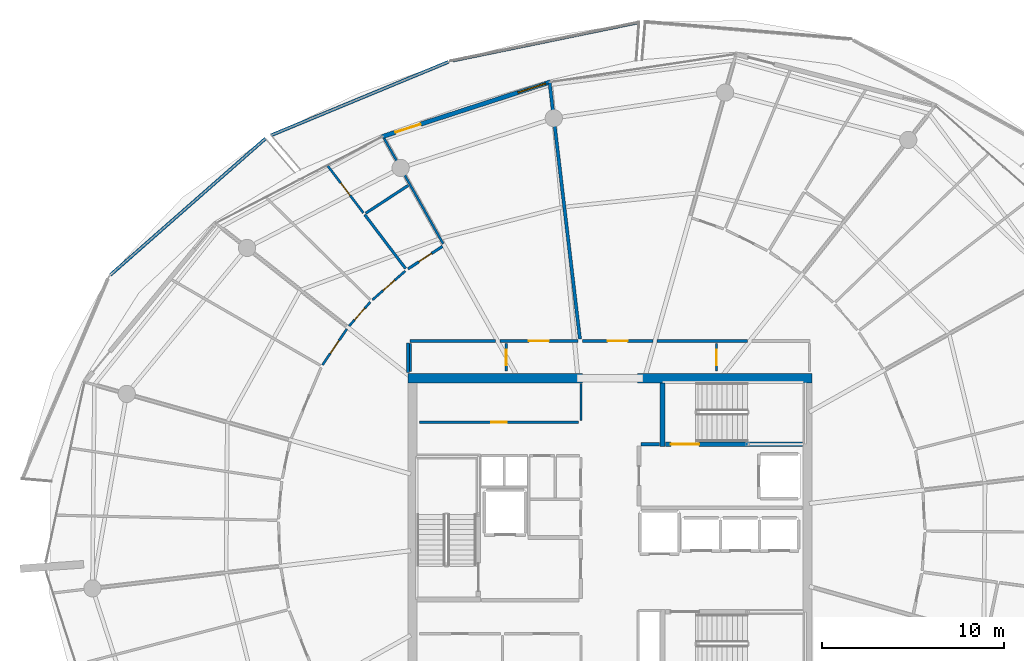
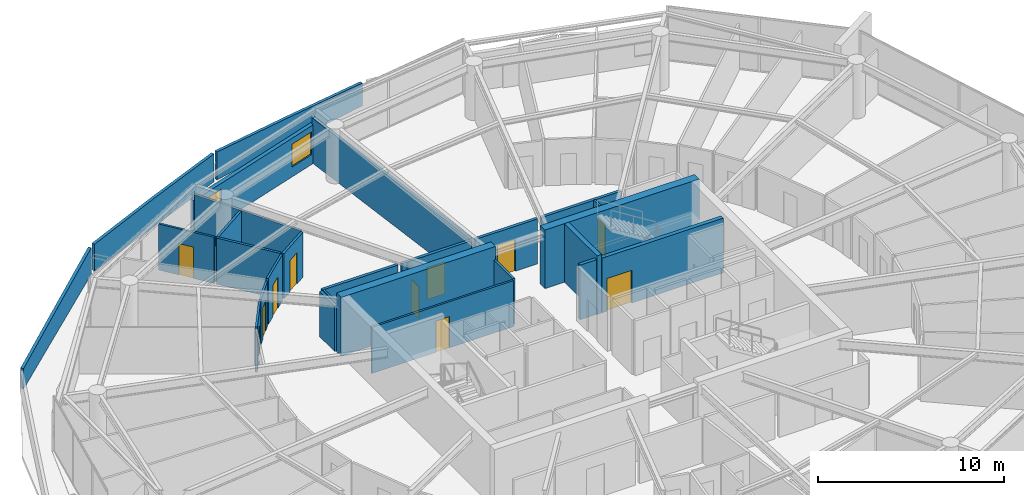
# One storey, part 22 of 31: 28 walls, 12 doors, 1 window, 13 openings.
"""IFC4 building model written with IfcOpenShell, lengths in metres."""

from ifc_helpers import new_model, si_unit, direction, frame, frame_2d, origin, place, context, subcontext, project, spatial, polyline, rectangle, outline, extrude, material, layer, layer_set, type_object, element, fill, save


model = new_model("IFC4")

# Units and contexts
model_context = context("Model", 3, precision=1e-05, world=origin(), true_north=direction((0.0, 1.0)))
body_context = subcontext(model_context, "Body", "Model", "MODEL_VIEW")
ifc_project = project(units=[si_unit("LENGTHUNIT", "METRE"), si_unit("AREAUNIT", "SQUARE_METRE"), si_unit("VOLUMEUNIT", "CUBIC_METRE"), si_unit("PLANEANGLEUNIT", "RADIAN"), si_unit("MASSUNIT", "GRAM", prefix="KILO")], contexts=[model_context])

# Site, building, storey
site_placement = place(None, origin())
site = spatial("IfcSite", under=ifc_project, at=site_placement, CompositionType="ELEMENT")
building_placement = place(site_placement, origin())
building = spatial("IfcBuilding", under=site, at=building_placement, Name="Kazma Halo Residences", CompositionType="ELEMENT")
storey_placement = place(building_placement, frame((0.0, 0.0, 275.199951171875)))
storey = spatial("IfcBuildingStorey", under=building, at=storey_placement, Name="L69", CompositionType="ELEMENT", Elevation=275.199951171875)

# Walls
ifc_material_1 = material(Name="White Concrete C50/60 Balustrade", Category="concrete")
ifc_layer_1 = layer(ifc_material_1, 0.179931640625)
ifc_layer_set_1 = layer_set([ifc_layer_1], Name="White Concrete C50/60 Balustrade")
wall_type_1 = type_object("IfcWallType", Name="WL-BAL-WAVE-180", PredefinedType="PARAPET", material=ifc_layer_set_1)
wall_1_placement = place(storey_placement, frame((50.02099609375, 69.85546875, 0.0), z_axis=(0.0, 0.0, 1.0), x_axis=(-0.979472745479, -0.201576637692, 0.0)))
element("IfcWall", 1, at=wall_1_placement, inside=storey, type_object=wall_type_1, Name="L69 white wave balustrade wall NNW.1", PredefinedType="PARAPET", context=body_context, shape_type="SweptSolid", body=[
    extrude(outline(polyline([(0.0, 0.0), (10.475341796875, 0.0), (10.4755859375, 1.83203125), (5.23779296875, 1.696044921875), (0.0, 1.4970703125), (0.0, 0.0)])), frame((0.0, 0.08984375, 0.0), z_axis=(0.0, -1.0, 0.0), x_axis=(1.0, 0.0, 0.0)), (0.0, 0.0, 1.0), 0.179931640625),
])
wall_2_placement = place(storey_placement, frame((39.5322265625, 67.673583984375, 0.0), z_axis=(0.0, 0.0, 1.0), x_axis=(-0.92394906856, -0.382515514336, 0.0)))
element("IfcWall", 2, at=wall_2_placement, inside=storey, type_object=wall_type_1, Name="L69 white wave balustrade wall NNW.2", PredefinedType="PARAPET", context=body_context, shape_type="SweptSolid", body=[
    extrude(outline(polyline([(0.0, 0.0), (10.580322265625, 0.0), (10.580322265625, 1.756103515625), (5.290283203125, 1.85302734375), (0.0, 1.83203125), (0.0, 0.0)])), frame((0.0, 0.08984375, 0.0), z_axis=(0.0, -1.0, 0.0), x_axis=(1.0, 0.0, 0.0)), (0.0, 0.0, 1.0), 0.179931640625),
])
wall_3_placement = place(storey_placement, frame((29.45166015625, 63.45068359375, 0.0), z_axis=(0.0, 0.0, 1.0), x_axis=(-0.750904489888, -0.660410816891, 0.0)))
element("IfcWall", 3, at=wall_3_placement, inside=storey, type_object=wall_type_1, Name="L69 white wave balustrade wall NW.1", PredefinedType="PARAPET", context=body_context, shape_type="SweptSolid", body=[
    extrude(outline(polyline([(0.0, 0.0), (11.385009765625, 0.0), (11.385009765625, 1.34814453125), (5.6923828125, 1.56201171875), (0.0, 1.7470703125), (0.0, 0.0)])), frame((0.0, 0.08984375, 0.0), z_axis=(0.0, -1.0, 0.0), x_axis=(1.0, 0.0, 0.0)), (0.0, 0.0, 1.0), 0.179931640625),
])
ifc_material_2 = material(Name="Concrete C60/75", Category="concrete")
ifc_layer_2 = layer(ifc_material_2, 0.5)
ifc_layer_set_2 = layer_set([ifc_layer_2], Name="Concrete C60/75")
wall_type_2 = type_object("IfcWallType", Name="WL-CORE-500", PredefinedType="SHEAR", material=ifc_layer_set_2)
wall_4_placement = place(storey_placement, frame((37.300048828125, 50.25, 0.0), z_axis=(0.0, 0.0, 1.0), x_axis=(1.0, 0.0, 0.0)))
element("IfcWall", 4, at=wall_4_placement, inside=storey, type_object=wall_type_2, Name="L69 central core shear wall NW", PredefinedType="SHEAR", context=body_context, shape_type="SweptSolid", body=[
    extrude(rectangle(XDim=9.599853515625, YDim=0.5, at=frame_2d((4.7998046875, 0.0))), origin(), (0.0, 0.0, 1.0), 3.85009765625),
])
wall_5_placement = place(storey_placement, frame((49.949951171875, 50.25, 0.0), z_axis=(0.0, 0.0, 1.0), x_axis=(1.0, 0.0, 0.0)))
element("IfcWall", 5, at=wall_5_placement, inside=storey, type_object=wall_type_2, Name="L69 central core shear wall NE", PredefinedType="SHEAR", context=body_context, shape_type="SweptSolid", body=[
    extrude(rectangle(XDim=9.60009765625, YDim=0.5, at=frame_2d((4.800048828125, 0.0))), origin(), (0.0, 0.0, 1.0), 3.85009765625),
])
ifc_layer_3 = layer(ifc_material_2, 0.280029296875)
ifc_layer_set_3 = layer_set([ifc_layer_3], Name="Concrete C60/75")
wall_type_3 = type_object("IfcWallType", Name="WL-CORE-ST-280", PredefinedType="SHEAR", material=ifc_layer_set_3)
wall_6_placement = place(storey_placement, frame((51.31005859375, 46.5, 0.0), z_axis=(0.0, 0.0, 1.0), x_axis=(0.0, 1.0, 0.0)))
element("IfcWall", 6, at=wall_6_placement, inside=storey, type_object=wall_type_3, Name="L69 stairwell bearing wall ST02-W", PredefinedType="SHEAR", context=body_context, shape_type="SweptSolid", body=[
    extrude(rectangle(XDim=3.5, YDim=0.280029296875, at=frame_2d((1.75, 0.0))), origin(), (0.0, 0.0, 1.0), 3.85009765625),
])
ifc_material_3 = material(Name="Acoustic Twin-Stud Gypsum")
ifc_layer_4 = layer(ifc_material_3, 0.179931640625)
ifc_layer_set_4 = layer_set([ifc_layer_4], Name="Acoustic Twin-Stud Gypsum")
wall_type_4 = type_object("IfcWallType", Name="WL-DEM-180", PredefinedType="PARTITIONING", material=ifc_layer_set_4)
wall_7_placement = place(storey_placement, frame((46.76806640625, 52.4091796875, 0.0), z_axis=(0.0, 0.0, 1.0), x_axis=(-0.117545848714, 0.993067456646, 0.0)))
element("IfcWall", 7, at=wall_7_placement, inside=storey, type_object=wall_type_4, Name="L69 apartment demising radial wall 03", PredefinedType="PARTITIONING", context=body_context, shape_type="SweptSolid", body=[
    extrude(rectangle(XDim=14.212890625, YDim=0.179931640625, at=frame_2d((7.1064453125, 0.0))), origin(), (0.0, 0.0, 1.0), 2.95703125),
])

# Wall, opening, door
wall_8_placement = place(storey_placement, frame((46.660888671875, 52.300048828125, 0.0), z_axis=(0.0, 0.0, 1.0), x_axis=(-1.0, 0.0, 0.0)))
wall_8 = element("IfcWall", 8, at=wall_8_placement, inside=storey, type_object=wall_type_4, Name="L69 Apartment 1 entrance corridor wall", PredefinedType="PARTITIONING", context=body_context, shape_type="SweptSolid", body=[
    extrude(rectangle(XDim=4.30908203125, YDim=0.179931640625, at=frame_2d((2.154541015625, 0.0))), origin(), (0.0, 0.0, 1.0), 2.95703125),
])
opening_1_placement = place(wall_8_placement, frame((1.6044921875, 0.0, 0.0)))
opening_1 = element("IfcOpeningElement", 9, at=opening_1_placement, cuts=wall_8, Name="Opening DA-1100", PredefinedType="OPENING", context=body_context, shape_type="SweptSolid", body=[
    extrude(rectangle(XDim=1.10009765625, YDim=2.10009765625, at=frame_2d((0.550048828125, 1.050048828125))), frame((0.0, 0.099853515625, 0.0), z_axis=(0.0, -1.0, 0.0), x_axis=(1.0, 0.0, 0.0)), (0.0, 0.0, 1.0), 0.199951171875),
])
ifc_material_4 = material(Name="Acoustic Walnut Fire Leaf")
door_type_1 = type_object("IfcDoorType", Name="DR-FD60-1100", OperationType="NOTDEFINED", PredefinedType="DOOR", material=ifc_material_4)
door_1_placement = place(opening_1_placement, origin())
door_1 = element("IfcDoor", 10, at=door_1_placement, inside=storey, type_object=door_type_1, Name="L69 Apartment 1 entrance fire door", OperationType="SINGLE_SWING_LEFT", OverallHeight=2.10009765625, OverallWidth=1.10009765625, PredefinedType="DOOR", context=body_context, shape_type="SweptSolid", body=[
    extrude(rectangle(XDim=1.10009765625, YDim=2.10009765625, at=frame_2d((0.550048828125, 1.050048828125))), frame((0.0, 0.02490234375, 0.0), z_axis=(0.0, -1.0, 0.0), x_axis=(1.0, 0.0, 0.0)), (0.0, 0.0, 1.0), 0.050048828125),
])
fill(opening_1, door_1)

# Walls
wall_9_placement = place(storey_placement, frame((42.11181640625, 52.300048828125, 0.0), z_axis=(0.0, 0.0, 1.0), x_axis=(-1.0, 0.0, 0.0)))
element("IfcWall", 11, at=wall_9_placement, inside=storey, type_object=wall_type_4, Name="L69 Apartment 1 inner wall 4", PredefinedType="PARTITIONING", context=body_context, shape_type="SweptSolid", body=[
    extrude(rectangle(XDim=4.69189453125, YDim=0.179931640625, at=frame_2d((2.345947265625, 0.0))), origin(), (0.0, 0.0, 1.0), 2.95703125),
])
wall_10_placement = place(storey_placement, frame((37.300048828125, 52.179931640625, 0.0), z_axis=(0.0, 0.0, 1.0), x_axis=(0.0, -1.0, 0.0)))
element("IfcWall", 12, at=wall_10_placement, inside=storey, type_object=wall_type_4, Name="L69 Apartment 1 inner wall 4", PredefinedType="PARTITIONING", context=body_context, shape_type="SweptSolid", body=[
    extrude(rectangle(XDim=1.624755859375, YDim=0.179931640625, at=frame_2d((0.8125, 0.0))), origin(), (0.0, 0.0, 1.0), 2.95703125),
])

# Wall, opening, door
wall_11_placement = place(storey_placement, frame((50.784912109375, 52.300048828125, 0.0), z_axis=(0.0, 0.0, 1.0), x_axis=(-1.0, 0.0, 0.0)))
wall_11 = element("IfcWall", 13, at=wall_11_placement, inside=storey, type_object=wall_type_4, Name="L69 Apartment 4 entrance corridor wall", PredefinedType="PARTITIONING", context=body_context, shape_type="SweptSolid", body=[
    extrude(rectangle(XDim=3.884033203125, YDim=0.179931640625, at=frame_2d((1.94189453125, 0.0))), origin(), (0.0, 0.0, 1.0), 2.95703125),
])
opening_2_placement = place(wall_11_placement, frame((1.39208984375, 0.0, 0.0)))
opening_2 = element("IfcOpeningElement", 14, at=opening_2_placement, cuts=wall_11, Name="Opening DA-1100", PredefinedType="OPENING", context=body_context, shape_type="SweptSolid", body=[
    extrude(rectangle(XDim=1.10009765625, YDim=2.10009765625, at=frame_2d((0.550048828125, 1.050048828125))), frame((0.0, 0.099853515625, 0.0), z_axis=(0.0, -1.0, 0.0), x_axis=(1.0, 0.0, 0.0)), (0.0, 0.0, 1.0), 0.199951171875),
])
door_2_placement = place(opening_2_placement, origin())
door_2 = element("IfcDoor", 15, at=door_2_placement, inside=storey, type_object=door_type_1, Name="L69 Apartment 4 entrance fire door", OperationType="SINGLE_SWING_RIGHT", OverallHeight=2.10009765625, OverallWidth=1.10009765625, PredefinedType="DOOR", context=body_context, shape_type="SweptSolid", body=[
    extrude(rectangle(XDim=1.10009765625, YDim=2.10009765625, at=frame_2d((0.550048828125, 1.050048828125))), frame((0.0, 0.02490234375, 0.0), z_axis=(0.0, -1.0, 0.0), x_axis=(1.0, 0.0, 0.0)), (0.0, 0.0, 1.0), 0.050048828125),
])
fill(opening_2, door_2)

# Wall
wall_12_placement = place(storey_placement, frame((56.0, 52.300048828125, 0.0), z_axis=(0.0, 0.0, 1.0), x_axis=(-1.0, 0.0, 0.0)))
element("IfcWall", 16, at=wall_12_placement, inside=storey, type_object=wall_type_4, Name="L69 Apartment 4 inner wall 1", PredefinedType="PARTITIONING", context=body_context, shape_type="SweptSolid", body=[
    extrude(rectangle(XDim=4.97509765625, YDim=0.179931640625, at=frame_2d((2.487548828125, 0.0))), origin(), (0.0, 0.0, 1.0), 2.95703125),
])

# Wall, openings, door, window
ifc_material_5 = material(Name="Insulated Pale-Metal Composite Wall")
ifc_layer_5 = layer(ifc_material_5, 0.239990234375)
ifc_layer_set_5 = layer_set([ifc_layer_5], Name="Insulated Pale-Metal Composite Wall")
wall_type_5 = type_object("IfcWallType", Name="WL-EXT-HOST-240", PredefinedType="SOLIDWALL", material=ifc_layer_set_5)
wall_13_placement = place(storey_placement, frame((45.14208984375, 66.563720703125, 0.0), z_axis=(0.0, 0.0, 1.0), x_axis=(-0.951055974609, -0.309018661507, 0.0)))
wall_13 = element("IfcWall", 17, at=wall_13_placement, inside=storey, type_object=wall_type_5, Name="L69 exterior terrace-access wall B04", PredefinedType="SOLIDWALL", context=body_context, shape_type="SweptSolid", body=[
    extrude(rectangle(XDim=9.745361328125, YDim=0.239990234375, at=frame_2d((4.87255859375, 0.0))), origin(), (0.0, 0.0, 1.0), 2.5400390625),
])
opening_3_placement = place(wall_13_placement, frame((7.525390625, 0.0, 0.0)))
opening_3 = element("IfcOpeningElement", 18, at=opening_3_placement, cuts=wall_13, Name="Opening DTR-1600", PredefinedType="OPENING", context=body_context, shape_type="SweptSolid", body=[
    extrude(rectangle(XDim=1.449951171875, YDim=2.14990234375, at=frame_2d((0.72509765625, 1.074951171875))), frame((0.0, 0.1298828125, 0.0), z_axis=(0.0, -1.0, 0.0), x_axis=(1.0, 0.0, 0.0)), (0.0, 0.0, 1.0), 0.260009765625),
])
opening_4_placement = place(wall_13_placement, frame((0.280029296875, 0.0, 0.64990234375)))
opening_4 = element("IfcOpeningElement", 19, at=opening_4_placement, cuts=wall_13, Name="Opening W-1800", PredefinedType="OPENING", context=body_context, shape_type="SweptSolid", body=[
    extrude(rectangle(XDim=1.60009765625, YDim=1.5, at=frame_2d((0.800048828125, 0.75))), frame((0.0, 0.1298828125, 0.0), z_axis=(0.0, -1.0, 0.0), x_axis=(1.0, 0.0, 0.0)), (0.0, 0.0, 1.0), 0.260009765625),
])
ifc_material_6 = material(Name="Aluminium AW-6063 T6 Double-Glazed Terrace Door", Category="aluminium")
door_type_2 = type_object("IfcDoorType", Name="DR-EXT-TERR-1600", OperationType="NOTDEFINED", PredefinedType="DOOR", material=ifc_material_6)
door_3_placement = place(opening_3_placement, origin())
door_3 = element("IfcDoor", 20, at=door_3_placement, inside=storey, type_object=door_type_2, Name="L69 B04 balcony terrace door", OperationType="DOUBLE_DOOR_SLIDING", OverallHeight=2.14990234375, OverallWidth=1.449951171875, PredefinedType="DOOR", context=body_context, shape_type="SweptSolid", body=[
    extrude(rectangle(XDim=1.449951171875, YDim=2.14990234375, at=frame_2d((0.72509765625, 1.074951171875))), frame((0.0, 0.02490234375, 0.0), z_axis=(0.0, -1.0, 0.0), x_axis=(1.0, 0.0, 0.0)), (0.0, 0.0, 1.0), 0.050048828125),
])
fill(opening_3, door_3)
ifc_material_7 = material(Name="Clear Triple-Silver Low-E Glass in Aluminium AW-6063 T6 Frame", Category="aluminium")
window_type = type_object("IfcWindowType", Name="WIN-RES-1800", PartitioningType="DOUBLE_PANEL_VERTICAL", PredefinedType="WINDOW", material=ifc_material_7)
window_placement = place(opening_4_placement, origin())
window = element("IfcWindow", 21, at=window_placement, inside=storey, type_object=window_type, Name="L69 B04 apartment window", OverallHeight=1.5, OverallWidth=1.60009765625, PartitioningType="SINGLE_PANEL", PredefinedType="WINDOW", context=body_context, shape_type="SweptSolid", body=[
    extrude(rectangle(XDim=1.60009765625, YDim=1.5, at=frame_2d((0.800048828125, 0.75))), frame((0.0, 0.030029296875, 0.0), z_axis=(0.0, -1.0, 0.0), x_axis=(1.0, 0.0, 0.0)), (0.0, 0.0, 1.0), 0.06005859375),
])
fill(opening_4, window)

# Walls
ifc_material_8 = material(Name="Fire-Rated Blockwork Masonry", Category="masonry")
ifc_layer_6 = layer(ifc_material_8, 0.199951171875)
ifc_layer_set_6 = layer_set([ifc_layer_6], Name="Fire-Rated Blockwork Masonry")
wall_type_6 = type_object("IfcWallType", Name="WL-FLB-200", PredefinedType="PARTITIONING", material=ifc_layer_set_6)
wall_14_placement = place(storey_placement, frame((50.139892578125, 46.6201171875, 0.0), z_axis=(0.0, 0.0, 1.0), x_axis=(1.0, 0.0, 0.0)))
element("IfcWall", 22, at=wall_14_placement, inside=storey, type_object=wall_type_6, Name="L69 east firefighting lobby north closure wall", PredefinedType="PARTITIONING", context=body_context, shape_type="SweptSolid", body=[
    extrude(rectangle(XDim=1.02001953125, YDim=0.199951171875, at=frame_2d((0.510009765625, 0.0))), origin(), (0.0, 0.0, 1.0), 3.590087890625),
])
ifc_material_9 = material(Name="Gypsum Plasterboard Partition")
ifc_layer_7 = layer(ifc_material_9, 0.125)
ifc_layer_set_7 = layer_set([ifc_layer_7], Name="Gypsum Plasterboard Partition")
wall_type_7 = type_object("IfcWallType", Name="WL-PART-125", PredefinedType="PARTITIONING", material=ifc_layer_set_7)
wall_15_placement = place(storey_placement, frame((46.820068359375, 47.919921875, 0.0), z_axis=(0.0, 0.0, 1.0), x_axis=(0.0, 1.0, 0.0)))
element("IfcWall", 23, at=wall_15_placement, inside=storey, type_object=wall_type_7, Name="L69 reclaimed north east wall", PredefinedType="PARTITIONING", context=body_context, shape_type="SweptSolid", body=[
    extrude(rectangle(XDim=2.030029296875, YDim=0.125, at=frame_2d((1.01513671875, 0.0))), origin(), (0.0, 0.0, 1.0), 3.030029296875),
])

# Wall, opening, door
wall_16_placement = place(storey_placement, frame((37.919921875, 47.820068359375, 0.0), z_axis=(0.0, 0.0, 1.0), x_axis=(1.0, 0.0, 0.0)))
wall_16 = element("IfcWall", 24, at=wall_16_placement, inside=storey, type_object=wall_type_7, Name="L69 reclaimed north front wall", PredefinedType="PARTITIONING", context=body_context, shape_type="SweptSolid", body=[
    extrude(rectangle(XDim=8.780029296875, YDim=0.125, at=frame_2d((4.39013671875, 0.0))), origin(), (0.0, 0.0, 1.0), 3.030029296875),
])
opening_5_placement = place(wall_16_placement, frame((3.965087890625, 0.0, 0.0)))
opening_5 = element("IfcOpeningElement", 25, at=opening_5_placement, cuts=wall_16, Name="Opening DS-850", PredefinedType="OPENING", context=body_context, shape_type="SweptSolid", body=[
    extrude(rectangle(XDim=0.85009765625, YDim=2.06005859375, at=frame_2d((0.425048828125, 1.030029296875))), frame((0.0, 0.072509765625, 0.0), z_axis=(0.0, -1.0, 0.0), x_axis=(1.0, 0.0, 0.0)), (0.0, 0.0, 1.0), 0.14501953125),
])
ifc_material_10 = material(Name="Painted Steel Access Leaf", Category="steel")
door_type_3 = type_object("IfcDoorType", Name="DR-SVC-850", OperationType="NOTDEFINED", PredefinedType="DOOR", material=ifc_material_10)
door_4_placement = place(opening_5_placement, origin())
door_4 = element("IfcDoor", 26, at=door_4_placement, inside=storey, type_object=door_type_3, Name="L69 reclaimed north service door", OperationType="SINGLE_SWING_RIGHT", OverallHeight=2.06005859375, OverallWidth=0.85009765625, PredefinedType="DOOR", context=body_context, shape_type="SweptSolid", body=[
    extrude(rectangle(XDim=0.85009765625, YDim=2.06005859375, at=frame_2d((0.425048828125, 1.030029296875))), frame((0.0, 0.02490234375, 0.0), z_axis=(0.0, -1.0, 0.0), x_axis=(1.0, 0.0, 0.0)), (0.0, 0.0, 1.0), 0.050048828125),
])
fill(opening_5, door_4)

# Wall
wall_17_placement = place(storey_placement, frame((37.43994140625, 50.6201171875, 0.0), z_axis=(0.0, 0.0, 1.0), x_axis=(0.0, 1.0, 0.0)))
element("IfcWall", 27, at=wall_17_placement, inside=storey, type_object=wall_type_7, Name="L69 west linen end wall", PredefinedType="PARTITIONING", context=body_context, shape_type="SweptSolid", body=[
    extrude(rectangle(XDim=1.539794921875, YDim=0.125, at=frame_2d((0.77001953125, 0.0))), origin(), (0.0, 0.0, 1.0), 3.030029296875),
])

# Wall, opening, door
wall_18_placement = place(storey_placement, frame((42.7099609375, 50.639892578125, 0.0), z_axis=(0.0, 0.0, 1.0), x_axis=(0.0, 1.0, 0.0)))
wall_18 = element("IfcWall", 28, at=wall_18_placement, inside=storey, type_object=wall_type_7, Name="L69 floor linen store door wall", PredefinedType="PARTITIONING", context=body_context, shape_type="SweptSolid", body=[
    extrude(rectangle(XDim=1.52001953125, YDim=0.125, at=frame_2d((0.760009765625, 0.0))), origin(), (0.0, 0.0, 1.0), 2.95703125),
])
opening_6_placement = place(wall_18_placement, frame((0.3349609375, 0.0, 0.0)))
opening_6 = element("IfcOpeningElement", 29, at=opening_6_placement, cuts=wall_18, Name="Opening DS-850", PredefinedType="OPENING", context=body_context, shape_type="SweptSolid", body=[
    extrude(rectangle(XDim=0.85009765625, YDim=2.06005859375, at=frame_2d((0.425048828125, 1.030029296875))), frame((0.0, 0.072509765625, 0.0), z_axis=(0.0, -1.0, 0.0), x_axis=(1.0, 0.0, 0.0)), (0.0, 0.0, 1.0), 0.14501953125),
])
door_5_placement = place(opening_6_placement, origin())
door_5 = element("IfcDoor", 30, at=door_5_placement, inside=storey, type_object=door_type_3, Name="L69 floor linen store door", OperationType="SINGLE_SWING_RIGHT", OverallHeight=2.06005859375, OverallWidth=0.85009765625, PredefinedType="DOOR", context=body_context, shape_type="SweptSolid", body=[
    extrude(rectangle(XDim=0.85009765625, YDim=2.06005859375, at=frame_2d((0.425048828125, 1.030029296875))), frame((0.0, 0.02490234375, 0.0), z_axis=(0.0, -1.0, 0.0), x_axis=(1.0, 0.0, 0.0)), (0.0, 0.0, 1.0), 0.050048828125),
])
fill(opening_6, door_5)

wall_19_placement = place(storey_placement, frame((54.2900390625, 50.639892578125, 0.0), z_axis=(0.0, 0.0, 1.0), x_axis=(0.0, 1.0, 0.0)))
wall_19 = element("IfcWall", 31, at=wall_19_placement, inside=storey, type_object=wall_type_7, Name="L69 floor metering cupboard door wall", PredefinedType="PARTITIONING", context=body_context, shape_type="SweptSolid", body=[
    extrude(rectangle(XDim=1.52001953125, YDim=0.125, at=frame_2d((0.760009765625, 0.0))), origin(), (0.0, 0.0, 1.0), 3.030029296875),
])
opening_7_placement = place(wall_19_placement, frame((0.3349609375, 0.0, 0.0)))
opening_7 = element("IfcOpeningElement", 32, at=opening_7_placement, cuts=wall_19, Name="Opening DS-850", PredefinedType="OPENING", context=body_context, shape_type="SweptSolid", body=[
    extrude(rectangle(XDim=0.85009765625, YDim=2.06005859375, at=frame_2d((0.425048828125, 1.030029296875))), frame((0.0, 0.072509765625, 0.0), z_axis=(0.0, -1.0, 0.0), x_axis=(1.0, 0.0, 0.0)), (0.0, 0.0, 1.0), 0.14501953125),
])
door_6_placement = place(opening_7_placement, origin())
door_6 = element("IfcDoor", 33, at=door_6_placement, inside=storey, type_object=door_type_3, Name="L69 floor cupboard door", OperationType="SINGLE_SWING_LEFT", OverallHeight=2.06005859375, OverallWidth=0.85009765625, PredefinedType="DOOR", context=body_context, shape_type="SweptSolid", body=[
    extrude(rectangle(XDim=0.85009765625, YDim=2.06005859375, at=frame_2d((0.425048828125, 1.030029296875))), frame((0.0, 0.02490234375, 0.0), z_axis=(0.0, -1.0, 0.0), x_axis=(1.0, 0.0, 0.0)), (0.0, 0.0, 1.0), 0.050048828125),
])
fill(opening_7, door_6)

# Wall
wall_20_placement = place(storey_placement, frame((39.233154296875, 57.654296875, 0.0), z_axis=(0.0, 0.0, 1.0), x_axis=(-0.488631305502, 0.872490370883, 0.0)))
element("IfcWall", 34, at=wall_20_placement, inside=storey, type_object=wall_type_7, Name="L69 Apartment 1 radial partition 4", PredefinedType="PARTITIONING", context=body_context, shape_type="SweptSolid", body=[
    extrude(rectangle(XDim=6.65283203125, YDim=0.125, at=frame_2d((3.326416015625, 0.0))), origin(), (0.0, 0.0, 1.0), 2.95703125),
])

# Wall, opening, door
wall_21_placement = place(storey_placement, frame((34.839599609375, 59.35693359375, 0.0), z_axis=(0.0, 0.0, 1.0), x_axis=(-0.604173390314, 0.7968528813, 0.0)))
wall_21 = element("IfcWall", 35, at=wall_21_placement, inside=storey, type_object=wall_type_7, Name="L69 Apartment 1 Utility Laundry Room partition wall", PredefinedType="PARTITIONING", context=body_context, shape_type="SweptSolid", body=[
    extrude(rectangle(XDim=3.26025390625, YDim=0.125, at=frame_2d((1.630126953125, 0.0))), origin(), (0.0, 0.0, 1.0), 3.030029296875),
])
opening_8_placement = place(wall_21_placement, frame((1.205078125, 0.0, 0.0)))
opening_8 = element("IfcOpeningElement", 36, at=opening_8_placement, cuts=wall_21, Name="Opening DB-900", PredefinedType="OPENING", context=body_context, shape_type="SweptSolid", body=[
    extrude(rectangle(XDim=0.85009765625, YDim=2.06005859375, at=frame_2d((0.425048828125, 1.030029296875))), frame((0.0, 0.072509765625, 0.0), z_axis=(0.0, -1.0, 0.0), x_axis=(1.0, 0.0, 0.0)), (0.0, 0.0, 1.0), 0.14501953125),
])
ifc_material_11 = material(Name="Moisture-Sealed Timber Leaf", Category="wood")
door_type_4 = type_object("IfcDoorType", Name="DR-BTH-900", OperationType="NOTDEFINED", PredefinedType="DOOR", material=ifc_material_11)
door_7_placement = place(opening_8_placement, origin())
door_7 = element("IfcDoor", 37, at=door_7_placement, inside=storey, type_object=door_type_4, Name="L69 Apartment 1 Utility Laundry Room door", OperationType="SINGLE_SWING_LEFT", OverallHeight=2.06005859375, OverallWidth=0.85009765625, PredefinedType="DOOR", context=body_context, shape_type="SweptSolid", body=[
    extrude(rectangle(XDim=0.85009765625, YDim=2.06005859375, at=frame_2d((0.425048828125, 1.030029296875))), frame((0.0, 0.02490234375, 0.0), z_axis=(0.0, -1.0, 0.0), x_axis=(1.0, 0.0, 0.0)), (0.0, 0.0, 1.0), 0.050048828125),
])
fill(opening_8, door_7)

wall_22_placement = place(storey_placement, frame((37.152587890625, 56.157958984375, 0.0), z_axis=(0.0, 0.0, 1.0), x_axis=(-0.750978090344, -0.660327121829, 0.0)))
wall_22 = element("IfcWall", 38, at=wall_22_placement, inside=storey, type_object=wall_type_7, Name="L69 Apartment 1 Gourmet Kitchen hall wall", PredefinedType="PARTITIONING", context=body_context, shape_type="SweptSolid", body=[
    extrude(rectangle(XDim=2.415771484375, YDim=0.125, at=frame_2d((1.2080078125, 0.0))), origin(), (0.0, 0.0, 1.0), 3.030029296875),
])
opening_9_placement = place(wall_22_placement, frame((0.782958984375, 0.0, 0.0)))
opening_9 = element("IfcOpeningElement", 39, at=opening_9_placement, cuts=wall_22, Name="Opening DB-900", PredefinedType="OPENING", context=body_context, shape_type="SweptSolid", body=[
    extrude(rectangle(XDim=0.85009765625, YDim=2.06005859375, at=frame_2d((0.425048828125, 1.030029296875))), frame((0.0, 0.072509765625, 0.0), z_axis=(0.0, -1.0, 0.0), x_axis=(1.0, 0.0, 0.0)), (0.0, 0.0, 1.0), 0.14501953125),
])
door_8_placement = place(opening_9_placement, origin())
door_8 = element("IfcDoor", 40, at=door_8_placement, inside=storey, type_object=door_type_4, Name="L69 Apartment 1 Gourmet Kitchen door", OperationType="SINGLE_SWING_RIGHT", OverallHeight=2.06005859375, OverallWidth=0.85009765625, PredefinedType="DOOR", context=body_context, shape_type="SweptSolid", body=[
    extrude(rectangle(XDim=0.85009765625, YDim=2.06005859375, at=frame_2d((0.425048828125, 1.030029296875))), frame((0.0, 0.02490234375, 0.0), z_axis=(0.0, -1.0, 0.0), x_axis=(1.0, 0.0, 0.0)), (0.0, 0.0, 1.0), 0.050048828125),
])
fill(opening_9, door_8)

wall_23_placement = place(storey_placement, frame((35.2255859375, 54.449951171875, 0.0), z_axis=(0.0, 0.0, 1.0), x_axis=(-0.661115526194, -0.7502841202, 0.0)))
wall_23 = element("IfcWall", 41, at=wall_23_placement, inside=storey, type_object=wall_type_7, Name="L69 Apartment 1 Primary Bedroom hall wall", PredefinedType="PARTITIONING", context=body_context, shape_type="SweptSolid", body=[
    extrude(rectangle(XDim=1.771484375, YDim=0.125, at=frame_2d((0.8857421875, 0.0))), origin(), (0.0, 0.0, 1.0), 2.95703125),
])
opening_10_placement = place(wall_23_placement, frame((0.460693359375, 0.0, 0.0)))
opening_10 = element("IfcOpeningElement", 42, at=opening_10_placement, cuts=wall_23, Name="Opening DB-900", PredefinedType="OPENING", context=body_context, shape_type="SweptSolid", body=[
    extrude(rectangle(XDim=0.85009765625, YDim=2.06005859375, at=frame_2d((0.425048828125, 1.030029296875))), frame((0.0, 0.072509765625, 0.0), z_axis=(0.0, -1.0, 0.0), x_axis=(1.0, 0.0, 0.0)), (0.0, 0.0, 1.0), 0.14501953125),
])
door_9_placement = place(opening_10_placement, origin())
door_9 = element("IfcDoor", 43, at=door_9_placement, inside=storey, type_object=door_type_4, Name="L69 Apartment 1 Primary Bedroom door", OperationType="SINGLE_SWING_LEFT", OverallHeight=2.06005859375, OverallWidth=0.85009765625, PredefinedType="DOOR", context=body_context, shape_type="SweptSolid", body=[
    extrude(rectangle(XDim=0.85009765625, YDim=2.06005859375, at=frame_2d((0.425048828125, 1.030029296875))), frame((0.0, 0.02490234375, 0.0), z_axis=(0.0, -1.0, 0.0), x_axis=(1.0, 0.0, 0.0)), (0.0, 0.0, 1.0), 0.050048828125),
])
fill(opening_10, door_9)

wall_24_placement = place(storey_placement, frame((33.932373046875, 52.963134765625, 0.0), z_axis=(0.0, 0.0, 1.0), x_axis=(-0.560751274748, -0.82798430412, 0.0)))
wall_24 = element("IfcWall", 44, at=wall_24_placement, inside=storey, type_object=wall_type_7, Name="L69 Apartment 1 Primary Wine Pantry Store hall wall", PredefinedType="PARTITIONING", context=body_context, shape_type="SweptSolid", body=[
    extrude(rectangle(XDim=2.396240234375, YDim=0.125, at=frame_2d((1.1982421875, 0.0))), origin(), (0.0, 0.0, 1.0), 2.95703125),
])
opening_11_placement = place(wall_24_placement, frame((0.773193359375, 0.0, 0.0)))
opening_11 = element("IfcOpeningElement", 45, at=opening_11_placement, cuts=wall_24, Name="Opening DB-900", PredefinedType="OPENING", context=body_context, shape_type="SweptSolid", body=[
    extrude(rectangle(XDim=0.85009765625, YDim=2.06005859375, at=frame_2d((0.425048828125, 1.030029296875))), frame((0.0, 0.072509765625, 0.0), z_axis=(0.0, -1.0, 0.0), x_axis=(1.0, 0.0, 0.0)), (0.0, 0.0, 1.0), 0.14501953125),
])
door_10_placement = place(opening_11_placement, origin())
door_10 = element("IfcDoor", 46, at=door_10_placement, inside=storey, type_object=door_type_4, Name="L69 Apartment 1 Primary Wine Pantry Store door", OperationType="SINGLE_SWING_LEFT", OverallHeight=2.06005859375, OverallWidth=0.85009765625, PredefinedType="DOOR", context=body_context, shape_type="SweptSolid", body=[
    extrude(rectangle(XDim=0.85009765625, YDim=2.06005859375, at=frame_2d((0.425048828125, 1.030029296875))), frame((0.0, 0.02490234375, 0.0), z_axis=(0.0, -1.0, 0.0), x_axis=(1.0, 0.0, 0.0)), (0.0, 0.0, 1.0), 0.050048828125),
])
fill(opening_11, door_10)

ifc_material_12 = material(Name="Concrete C50/60", Category="concrete")
ifc_layer_8 = layer(ifc_material_12, 0.25)
ifc_layer_set_8 = layer_set([ifc_layer_8], Name="Concrete C50/60")
wall_type_8 = type_object("IfcWallType", Name="WL-SHF-250", PredefinedType="SOLIDWALL", material=ifc_layer_set_8)
wall_25_placement = place(storey_placement, frame((51.47998046875, 46.6201171875, 0.0), z_axis=(0.0, 0.0, 1.0), x_axis=(1.0, 0.0, 0.0)))
wall_25 = element("IfcWall", 47, at=wall_25_placement, inside=storey, type_object=wall_type_8, Name="L69 exit stair ST-02 enclosure wall", PredefinedType="SOLIDWALL", context=body_context, shape_type="SweptSolid", body=[
    extrude(rectangle(XDim=7.5400390625, YDim=0.25, at=frame_2d((3.77001953125, 0.0))), origin(), (0.0, 0.0, 1.0), 3.590087890625),
])
opening_12_placement = place(wall_25_placement, frame((0.300048828125, 0.0, 0.0)))
opening_12 = element("IfcOpeningElement", 48, at=opening_12_placement, cuts=wall_25, Name="Opening D-ST2", PredefinedType="OPENING", context=body_context, shape_type="SweptSolid", body=[
    extrude(rectangle(XDim=1.550048828125, YDim=2.14990234375, at=frame_2d((0.77490234375, 1.074951171875))), frame((0.0, 0.135009765625, 0.0), z_axis=(0.0, -1.0, 0.0), x_axis=(1.0, 0.0, 0.0)), (0.0, 0.0, 1.0), 0.27001953125),
])
ifc_material_13 = material(Name="Fire-Rated Double Steel Leaf", Category="steel")
door_type_5 = type_object("IfcDoorType", Name="DR-FD90-1550", OperationType="NOTDEFINED", PredefinedType="DOOR", material=ifc_material_13)
door_11_placement = place(opening_12_placement, origin())
door_11 = element("IfcDoor", 49, at=door_11_placement, inside=storey, type_object=door_type_5, Name="L69 exit stair ST-02 fire door", OperationType="DOUBLE_DOOR_SINGLE_SWING", OverallHeight=2.14990234375, OverallWidth=1.550048828125, PredefinedType="DOOR", context=body_context, shape_type="SweptSolid", body=[
    extrude(rectangle(XDim=1.550048828125, YDim=2.14990234375, at=frame_2d((0.77490234375, 1.074951171875))), frame((0.0, 0.02490234375, 0.0), z_axis=(0.0, -1.0, 0.0), x_axis=(1.0, 0.0, 0.0)), (0.0, 0.0, 1.0), 0.050048828125),
])
fill(opening_12, door_11)

ifc_material_14 = material(Name="Moisture-Resistant Gypsum")
ifc_layer_9 = layer(ifc_material_14, 0.14990234375)
ifc_layer_set_9 = layer_set([ifc_layer_9], Name="Moisture-Resistant Gypsum")
wall_type_9 = type_object("IfcWallType", Name="WL-WET-150", PredefinedType="PARTITIONING", material=ifc_layer_set_9)
wall_26_placement = place(storey_placement, frame((39.1982421875, 57.51220703125, 0.0), z_axis=(0.0, 0.0, 1.0), x_axis=(-0.836678262568, -0.547694700491, 0.0)))
wall_26 = element("IfcWall", 50, at=wall_26_placement, inside=storey, type_object=wall_type_9, Name="L69 Apartment 1 Guest Bathroom hall wall", PredefinedType="PARTITIONING", context=body_context, shape_type="SweptSolid", body=[
    extrude(rectangle(XDim=2.274169921875, YDim=0.14990234375, at=frame_2d((1.13720703125, 0.0))), origin(), (0.0, 0.0, 1.0), 2.95703125),
])
opening_13_placement = place(wall_26_placement, frame((0.712158203125, 0.0, 0.0)))
opening_13 = element("IfcOpeningElement", 51, at=opening_13_placement, cuts=wall_26, Name="Opening DB-900", PredefinedType="OPENING", context=body_context, shape_type="SweptSolid", body=[
    extrude(rectangle(XDim=0.85009765625, YDim=2.06005859375, at=frame_2d((0.425048828125, 1.030029296875))), frame((0.0, 0.0849609375, 0.0), z_axis=(0.0, -1.0, 0.0), x_axis=(1.0, 0.0, 0.0)), (0.0, 0.0, 1.0), 0.169921875),
])
door_12_placement = place(opening_13_placement, origin())
door_12 = element("IfcDoor", 52, at=door_12_placement, inside=storey, type_object=door_type_4, Name="L69 Apartment 1 Guest Bathroom door", OperationType="SINGLE_SWING_RIGHT", OverallHeight=2.06005859375, OverallWidth=0.85009765625, PredefinedType="DOOR", context=body_context, shape_type="SweptSolid", body=[
    extrude(rectangle(XDim=0.85009765625, YDim=2.06005859375, at=frame_2d((0.425048828125, 1.030029296875))), frame((0.0, 0.02490234375, 0.0), z_axis=(0.0, -1.0, 0.0), x_axis=(1.0, 0.0, 0.0)), (0.0, 0.0, 1.0), 0.050048828125),
])
fill(opening_13, door_12)

# Walls
wall_27_placement = place(storey_placement, frame((37.317138671875, 60.871337890625, 0.0), z_axis=(0.0, 0.0, 1.0), x_axis=(-0.836665995214, -0.547713440087, 0.0)))
element("IfcWall", 53, at=wall_27_placement, inside=storey, type_object=wall_type_9, Name="L69 Apartment 1 Guest Bathroom back wall", PredefinedType="PARTITIONING", context=body_context, shape_type="SweptSolid", body=[
    extrude(rectangle(XDim=2.805908203125, YDim=0.14990234375, at=frame_2d((1.40283203125, 0.0))), origin(), (0.0, 0.0, 1.0), 2.95703125),
])
wall_28_placement = place(storey_placement, frame((37.165771484375, 56.2890625, 0.0), z_axis=(0.0, 0.0, 1.0), x_axis=(-0.604171001441, 0.796854692537, 0.0)))
element("IfcWall", 54, at=wall_28_placement, inside=storey, type_object=wall_type_9, Name="L69 Apartment 1 Guest Bathroom side wall", PredefinedType="PARTITIONING", context=body_context, shape_type="SweptSolid", body=[
    extrude(rectangle(XDim=3.719970703125, YDim=0.14990234375, at=frame_2d((1.85986328125, 0.0))), origin(), (0.0, 0.0, 1.0), 3.030029296875),
])

save(model, "model.ifc")
